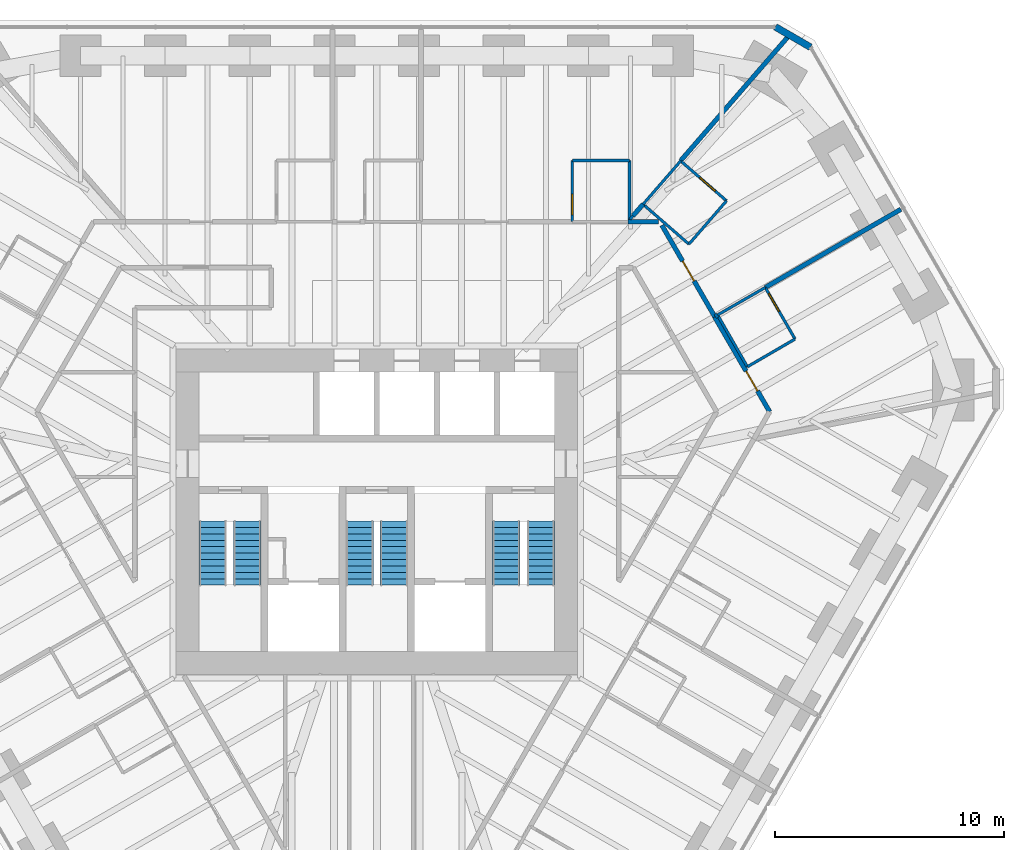
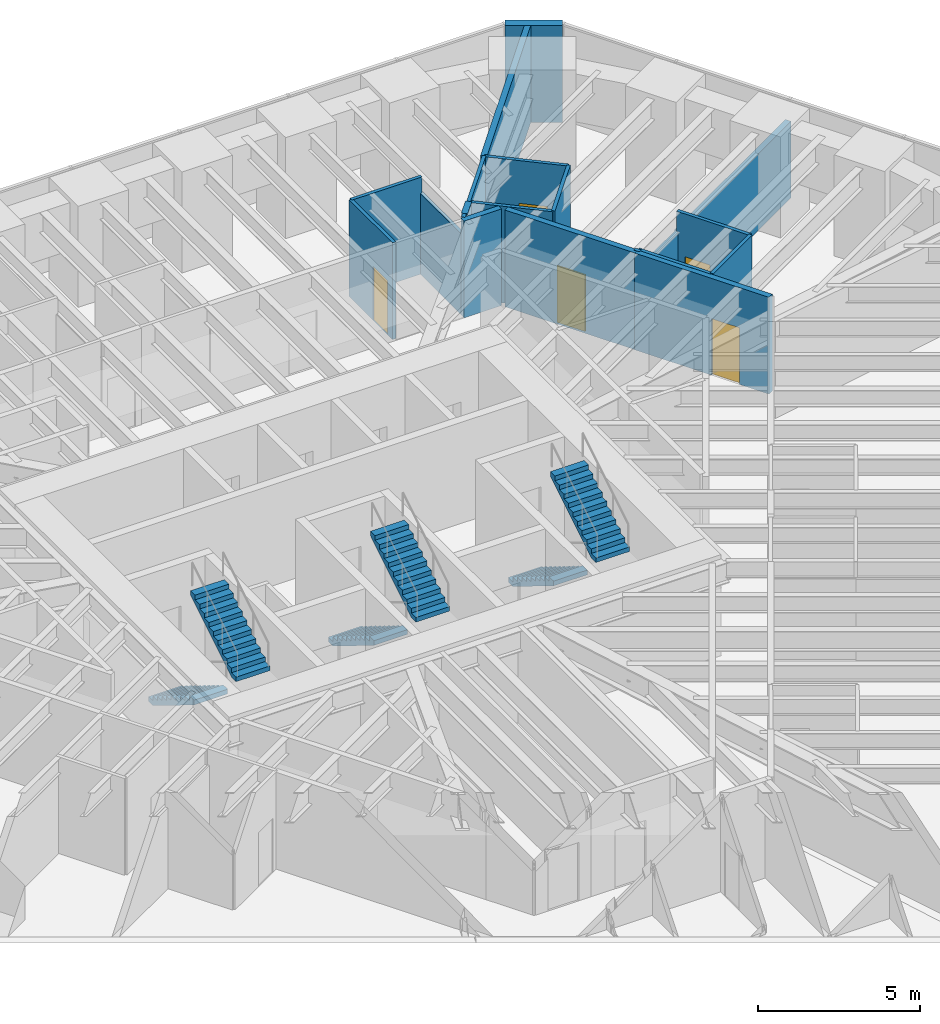
# One storey, part 15 of 16: 20 walls, 6 stair flights, 5 doors, 5 openings, 3 elements without a shape of their own.
"""IFC4 building model written with IfcOpenShell, lengths in metres."""

from ifc_helpers import new_model, si_unit, direction, frame, frame_2d, origin, place, context, subcontext, project, spatial, polyline, rectangle, outline, extrude, material, layer, layer_set, type_object, element, fill, aggregate, save


model = new_model("IFC4")

# Units and contexts
model_context = context("Model", 3, precision=1e-05, world=origin(), true_north=direction((0.0, 1.0)))
body_context = subcontext(model_context, "Body", "Model", "MODEL_VIEW")
ifc_project = project(units=[si_unit("LENGTHUNIT", "METRE"), si_unit("AREAUNIT", "SQUARE_METRE"), si_unit("VOLUMEUNIT", "CUBIC_METRE"), si_unit("PLANEANGLEUNIT", "RADIAN"), si_unit("MASSUNIT", "GRAM", prefix="KILO")], contexts=[model_context])

# Site, building, storey
site_placement = place(None, origin())
site = spatial("IfcSite", under=ifc_project, at=site_placement, CompositionType="ELEMENT")
building_placement = place(site_placement, origin())
building = spatial("IfcBuilding", under=site, at=building_placement, Name="Sandreach Pilgrim Tower", CompositionType="ELEMENT")
storey_placement = place(building_placement, frame((0.0, 0.0, 183.199951171875)))
storey = spatial("IfcBuildingStorey", under=building, at=storey_placement, Name="L45", CompositionType="ELEMENT", Elevation=183.199951171875)

# Wall, opening, door
ifc_material_1 = material(Name="Moisture-resistant gypsum board on steel studs", Category="steel")
ifc_layer_1 = layer(ifc_material_1, 0.1201171875)
ifc_layer_set_1 = layer_set([ifc_layer_1], Name="Bathroom partition 120")
wall_type_1 = type_object("IfcWallType", Name="Bathroom partition 120", PredefinedType="PARTITIONING", material=ifc_layer_set_1)
wall_1_placement = place(storey_placement, frame((8.530029296875, 15.330078125, 0.0), z_axis=(0.0, 0.0, 1.0), x_axis=(0.0, -1.0, 0.0)))
wall_1 = element("IfcWall", 1, at=wall_1_placement, inside=storey, type_object=wall_type_1, Name="Bathroom partition L45-102", PredefinedType="PARTITIONING", context=body_context, shape_type="SweptSolid", body=[
    extrude(rectangle(XDim=2.670166015625, YDim=0.1201171875, at=frame_2d((1.3349609375, 0.0))), origin(), (0.0, 0.0, 1.0), 3.64013671875),
])
opening_1_placement = place(wall_1_placement, frame((1.469970703125, 0.0, 0.0)))
opening_1 = element("IfcOpeningElement", 2, at=opening_1_placement, cuts=wall_1, Name="Opening D09-03B", PredefinedType="OPENING", context=body_context, shape_type="SweptSolid", body=[
    extrude(rectangle(XDim=0.89990234375, YDim=2.030029296875, at=frame_2d((0.449951171875, 1.01513671875))), frame((0.0, 0.06005859375, 0.0), z_axis=(0.0, -1.0, 0.0), x_axis=(1.0, 0.0, 0.0)), (0.0, 0.0, 1.0), 0.1201171875),
])
ifc_material_2 = material(Name="Timber door, steel frame", Category="steel")
door_type_1 = type_object("IfcDoorType", Name="Bathroom door", OperationType="SINGLE_SWING_LEFT", PredefinedType="DOOR", material=ifc_material_2)
door_1_placement = place(opening_1_placement, origin())
door_1 = element("IfcDoor", 3, at=door_1_placement, inside=storey, type_object=door_type_1, Name="Door 4503B", OperationType="SINGLE_SWING_RIGHT", OverallHeight=2.030029296875, OverallWidth=0.89990234375, PredefinedType="DOOR", context=body_context, shape_type="SweptSolid", body=[
    extrude(rectangle(XDim=0.89990234375, YDim=2.030029296875, at=frame_2d((0.449951171875, 1.01513671875))), frame((0.0, 0.02490234375, 0.0), z_axis=(0.0, -1.0, 0.0), x_axis=(1.0, 0.0, 0.0)), (0.0, 0.0, 1.0), 0.050048828125),
])
fill(opening_1, door_1)

# Walls
wall_2_placement = place(storey_placement, frame((11.030029296875, 12.739990234375, 0.0), z_axis=(0.0, 0.0, 1.0), x_axis=(0.0, 1.0, 0.0)))
element("IfcWall", 4, at=wall_2_placement, inside=storey, type_object=wall_type_1, Name="Bathroom partition L45-112", PredefinedType="PARTITIONING", context=body_context, shape_type="SweptSolid", body=[
    extrude(rectangle(XDim=2.590087890625, YDim=0.1201171875, at=frame_2d((1.294921875, 0.0))), origin(), (0.0, 0.0, 1.0), 3.0380859375),
])
wall_3_placement = place(storey_placement, frame((11.030029296875, 15.330078125, 0.0), z_axis=(0.0, 0.0, 1.0), x_axis=(-1.0, 0.0, 0.0)))
element("IfcWall", 5, at=wall_3_placement, inside=storey, type_object=wall_type_1, Name="Bathroom partition L45-113", PredefinedType="PARTITIONING", context=body_context, shape_type="SweptSolid", body=[
    extrude(rectangle(XDim=2.5, YDim=0.1201171875, at=frame_2d((1.25, 0.0))), origin(), (0.0, 0.0, 1.0), 3.64013671875),
])
wall_4_placement = place(storey_placement, frame((11.04931640625, 12.762939453125, 0.0), z_axis=(0.0, 0.0, 1.0), x_axis=(0.639596257895, 0.768711016499, 0.0)))
element("IfcWall", 6, at=wall_4_placement, inside=storey, type_object=wall_type_1, Name="Bathroom partition L45-114", PredefinedType="PARTITIONING", context=body_context, shape_type="SweptSolid", body=[
    extrude(rectangle(XDim=0.2041015625, YDim=0.1201171875, at=frame_2d((0.10205078125, 0.0))), origin(), (0.0, 0.0, 1.0), 3.64013671875),
])
wall_5_placement = place(storey_placement, frame((11.6201171875, 13.419921875, 0.0), z_axis=(0.0, 0.0, 1.0), x_axis=(0.655335308977, 0.755338091723, 0.0)))
element("IfcWall", 7, at=wall_5_placement, inside=storey, type_object=wall_type_1, Name="Bathroom partition L45-119", PredefinedType="PARTITIONING", context=body_context, shape_type="SweptSolid", body=[
    extrude(rectangle(XDim=2.50244140625, YDim=0.1201171875, at=frame_2d((1.251220703125, 0.0))), origin(), (0.0, 0.0, 1.0), 3.64013671875),
])
wall_6_placement = place(storey_placement, frame((11.6201171875, 13.419921875, 0.0), z_axis=(0.0, 0.0, 1.0), x_axis=(0.754444902764, -0.656363381591, 0.0)))
element("IfcWall", 8, at=wall_6_placement, inside=storey, type_object=wall_type_1, Name="Bathroom partition L45-120", PredefinedType="PARTITIONING", context=body_context, shape_type="SweptSolid", body=[
    extrude(rectangle(XDim=2.65087890625, YDim=0.1201171875, at=frame_2d((1.325439453125, 0.0))), origin(), (0.0, 0.0, 1.0), 3.64013671875),
])
wall_7_placement = place(storey_placement, frame((13.6201171875, 11.679931640625, 0.0), z_axis=(0.0, 0.0, 1.0), x_axis=(0.655335308977, 0.755338091723, 0.0)))
element("IfcWall", 9, at=wall_7_placement, inside=storey, type_object=wall_type_1, Name="Bathroom partition L45-130", PredefinedType="PARTITIONING", context=body_context, shape_type="SweptSolid", body=[
    extrude(rectangle(XDim=2.50244140625, YDim=0.1201171875, at=frame_2d((1.251220703125, 0.0))), origin(), (0.0, 0.0, 1.0), 3.64013671875),
])
wall_8_placement = place(storey_placement, frame((14.8701171875, 8.590087890625, 0.0), z_axis=(0.0, 0.0, 1.0), x_axis=(0.498557331759, -0.866856728041, 0.0)))
element("IfcWall", 10, at=wall_8_placement, inside=storey, type_object=wall_type_1, Name="Bathroom partition L45-137", PredefinedType="PARTITIONING", context=body_context, shape_type="SweptSolid", body=[
    extrude(rectangle(XDim=2.607177734375, YDim=0.1201171875, at=frame_2d((1.3037109375, 0.0))), origin(), (0.0, 0.0, 1.0), 3.64013671875),
])
wall_9_placement = place(storey_placement, frame((14.8701171875, 8.590087890625, 0.0), z_axis=(0.0, 0.0, 1.0), x_axis=(0.866177122335, 0.499737123639, 0.0)))
element("IfcWall", 11, at=wall_9_placement, inside=storey, type_object=wall_type_1, Name="Bathroom partition L45-138", PredefinedType="PARTITIONING", context=body_context, shape_type="SweptSolid", body=[
    extrude(rectangle(XDim=2.401123046875, YDim=0.1201171875, at=frame_2d((1.20068359375, 0.0))), origin(), (0.0, 0.0, 1.0), 2.8779296875),
])

# Wall, opening, door
wall_10_placement = place(storey_placement, frame((15.260009765625, 13.570068359375, 0.0), z_axis=(0.0, 0.0, 1.0), x_axis=(-0.754444902764, 0.656363381591, 0.0)))
wall_10 = element("IfcWall", 12, at=wall_10_placement, inside=storey, type_object=wall_type_1, Name="Bathroom partition L45-139", PredefinedType="PARTITIONING", context=body_context, shape_type="SweptSolid", body=[
    extrude(rectangle(XDim=2.65087890625, YDim=0.1201171875, at=frame_2d((1.325439453125, 0.0))), origin(), (0.0, 0.0, 1.0), 3.64013671875),
])
opening_2_placement = place(wall_10_placement, frame((0.64990234375, 0.0, 0.0)))
opening_2 = element("IfcOpeningElement", 13, at=opening_2_placement, cuts=wall_10, Name="Opening D09-04B", PredefinedType="OPENING", context=body_context, shape_type="SweptSolid", body=[
    extrude(rectangle(XDim=0.89990234375, YDim=2.030029296875, at=frame_2d((0.449951171875, 1.01513671875))), frame((0.0, 0.06005859375, 0.0), z_axis=(0.0, -1.0, 0.0), x_axis=(1.0, 0.0, 0.0)), (0.0, 0.0, 1.0), 0.1201171875),
])
door_2_placement = place(opening_2_placement, origin())
door_2 = element("IfcDoor", 14, at=door_2_placement, inside=storey, type_object=door_type_1, Name="Door 4504B", OperationType="SINGLE_SWING_LEFT", OverallHeight=2.030029296875, OverallWidth=0.89990234375, PredefinedType="DOOR", context=body_context, shape_type="SweptSolid", body=[
    extrude(rectangle(XDim=0.89990234375, YDim=2.030029296875, at=frame_2d((0.449951171875, 1.01513671875))), frame((0.0, 0.02490234375, 0.0), z_axis=(0.0, -1.0, 0.0), x_axis=(1.0, 0.0, 0.0)), (0.0, 0.0, 1.0), 0.050048828125),
])
fill(opening_2, door_2)

# Wall
wall_11_placement = place(storey_placement, frame((16.169921875, 6.330078125, 0.0), z_axis=(0.0, 0.0, 1.0), x_axis=(0.864396442809, 0.502810888564, 0.0)))
element("IfcWall", 15, at=wall_11_placement, inside=storey, type_object=wall_type_1, Name="Bathroom partition L45-141", PredefinedType="PARTITIONING", context=body_context, shape_type="SweptSolid", body=[
    extrude(rectangle(XDim=2.406494140625, YDim=0.1201171875, at=frame_2d((1.203125, 0.0))), origin(), (0.0, 0.0, 1.0), 3.64013671875),
])

# Wall, opening, door
wall_12_placement = place(storey_placement, frame((18.25, 7.5400390625, 0.0), z_axis=(0.0, 0.0, 1.0), x_axis=(-0.500291685314, 0.865856933682, 0.0)))
wall_12 = element("IfcWall", 16, at=wall_12_placement, inside=storey, type_object=wall_type_1, Name="Bathroom partition L45-146", PredefinedType="PARTITIONING", context=body_context, shape_type="SweptSolid", body=[
    extrude(rectangle(XDim=2.5986328125, YDim=0.1201171875, at=frame_2d((1.29931640625, 0.0))), origin(), (0.0, 0.0, 1.0), 3.64013671875),
])
opening_3_placement = place(wall_12_placement, frame((1.398681640625, 0.0, 0.0)))
opening_3 = element("IfcOpeningElement", 17, at=opening_3_placement, cuts=wall_12, Name="Opening D09-05B", PredefinedType="OPENING", context=body_context, shape_type="SweptSolid", body=[
    extrude(rectangle(XDim=0.89990234375, YDim=2.030029296875, at=frame_2d((0.449951171875, 1.01513671875))), frame((0.0, 0.06005859375, 0.0), z_axis=(0.0, -1.0, 0.0), x_axis=(1.0, 0.0, 0.0)), (0.0, 0.0, 1.0), 0.1201171875),
])
door_3_placement = place(opening_3_placement, origin())
door_3 = element("IfcDoor", 18, at=door_3_placement, inside=storey, type_object=door_type_1, Name="Door 4505B", OperationType="SINGLE_SWING_RIGHT", OverallHeight=2.030029296875, OverallWidth=0.89990234375, PredefinedType="DOOR", context=body_context, shape_type="SweptSolid", body=[
    extrude(rectangle(XDim=0.89990234375, YDim=2.030029296875, at=frame_2d((0.449951171875, 1.01513671875))), frame((0.0, 0.02490234375, 0.0), z_axis=(0.0, -1.0, 0.0), x_axis=(1.0, 0.0, 0.0)), (0.0, 0.0, 1.0), 0.050048828125),
])
fill(opening_3, door_3)

# Wall
ifc_material_3 = material(Name="Gypsum board on steel studs, two layers each side", Category="steel")
ifc_layer_2 = layer(ifc_material_3, 0.199951171875)
ifc_layer_set_2 = layer_set([ifc_layer_2], Name="Corridor wall 200")
wall_type_2 = type_object("IfcWallType", Name="Corridor wall 200", PredefinedType="PARTITIONING", material=ifc_layer_set_2)
wall_13_placement = place(storey_placement, frame((12.2900390625, 12.659912109375, 0.0), z_axis=(0.0, 0.0, 1.0), x_axis=(-1.0, 0.0, 0.0)))
element("IfcWall", 19, at=wall_13_placement, inside=storey, type_object=wall_type_2, Name="Corridor wall L45-125", PredefinedType="PARTITIONING", context=body_context, shape_type="SweptSolid", body=[
    extrude(rectangle(XDim=1.330078125, YDim=0.199951171875, at=frame_2d((0.6650390625, 0.0))), origin(), (0.0, 0.0, 1.0), 3.64013671875),
])

# Wall, opening, door
wall_14_placement = place(storey_placement, frame((12.440185546875, 12.504150390625, 0.0), z_axis=(0.0, 0.0, 1.0), x_axis=(0.500616963614, -0.865668906535, 0.0)))
wall_14 = element("IfcWall", 20, at=wall_14_placement, inside=storey, type_object=wall_type_2, Name="Corridor wall L45-126", PredefinedType="PARTITIONING", context=body_context, shape_type="SweptSolid", body=[
    extrude(rectangle(XDim=4.614013671875, YDim=0.199951171875, at=frame_2d((2.30712890625, 0.0))), origin(), (0.0, 0.0, 1.0), 3.64013671875),
])
opening_4_placement = place(wall_14_placement, frame((1.806884765625, 0.0, 0.0)))
opening_4 = element("IfcOpeningElement", 21, at=opening_4_placement, cuts=wall_14, Name="Opening D10-04", PredefinedType="OPENING", context=body_context, shape_type="SweptSolid", body=[
    extrude(rectangle(XDim=1.0, YDim=2.1298828125, at=frame_2d((0.5, 1.06494140625))), frame((0.0, 0.10009765625, 0.0), z_axis=(0.0, -1.0, 0.0), x_axis=(1.0, 0.0, 0.0)), (0.0, 0.0, 1.0), 0.199951171875),
])
ifc_material_4 = material(Name="Steel door and frame", Category="steel")
door_type_2 = type_object("IfcDoorType", Name="Guest room entry door", OperationType="SINGLE_SWING_LEFT", PredefinedType="DOOR", material=ifc_material_4)
door_4_placement = place(opening_4_placement, origin())
door_4 = element("IfcDoor", 22, at=door_4_placement, inside=storey, type_object=door_type_2, Name="Door 4504", OperationType="SINGLE_SWING_LEFT", OverallHeight=2.1298828125, OverallWidth=1.0, PredefinedType="DOOR", context=body_context, shape_type="SweptSolid", body=[
    extrude(rectangle(XDim=1.0, YDim=2.1298828125, at=frame_2d((0.5, 1.06494140625))), frame((0.0, 0.02490234375, 0.0), z_axis=(0.0, -1.0, 0.0), x_axis=(1.0, 0.0, 0.0)), (0.0, 0.0, 1.0), 0.050048828125),
])
fill(opening_4, door_4)

wall_15_placement = place(storey_placement, frame((17.139892578125, 4.3701171875, 0.0), z_axis=(0.0, 0.0, 1.0), x_axis=(-0.501524901322, 0.865143209737, 0.0)))
wall_15 = element("IfcWall", 23, at=wall_15_placement, inside=storey, type_object=wall_type_2, Name="Corridor wall L45-144", PredefinedType="PARTITIONING", context=body_context, shape_type="SweptSolid", body=[
    extrude(rectangle(XDim=4.78515625, YDim=0.199951171875, at=frame_2d((2.392578125, 0.0))), origin(), (0.0, 0.0, 1.0), 3.64013671875),
])
opening_5_placement = place(wall_15_placement, frame((1.050048828125, 0.0, 0.0)))
opening_5 = element("IfcOpeningElement", 24, at=opening_5_placement, cuts=wall_15, Name="Opening D10-05", PredefinedType="OPENING", context=body_context, shape_type="SweptSolid", body=[
    extrude(rectangle(XDim=1.0, YDim=2.1298828125, at=frame_2d((0.5, 1.06494140625))), frame((0.0, 0.10009765625, 0.0), z_axis=(0.0, -1.0, 0.0), x_axis=(1.0, 0.0, 0.0)), (0.0, 0.0, 1.0), 0.199951171875),
])
door_5_placement = place(opening_5_placement, origin())
door_5 = element("IfcDoor", 25, at=door_5_placement, inside=storey, type_object=door_type_2, Name="Door 4505", OperationType="SINGLE_SWING_LEFT", OverallHeight=2.1298828125, OverallWidth=1.0, PredefinedType="DOOR", context=body_context, shape_type="SweptSolid", body=[
    extrude(rectangle(XDim=1.0, YDim=2.1298828125, at=frame_2d((0.5, 1.06494140625))), frame((0.0, 0.02490234375, 0.0), z_axis=(0.0, -1.0, 0.0), x_axis=(1.0, 0.0, 0.0)), (0.0, 0.0, 1.0), 0.050048828125),
])
fill(opening_5, door_5)

# Walls
ifc_material_5 = material(Name="Double steel stud acoustic wall, gypsum board", Category="steel")
ifc_layer_3 = layer(ifc_material_5, 0.199951171875)
ifc_layer_set_3 = layer_set([ifc_layer_3], Name="Party wall 200")
wall_type_3 = type_object("IfcWallType", Name="Party wall 200", PredefinedType="PARTITIONING", material=ifc_layer_set_3)
wall_16_placement = place(storey_placement, frame((11.179931640625, 12.919921875, 0.0), z_axis=(0.0, 0.0, 1.0), x_axis=(0.660578310858, 0.750757147967, 0.0)))
element("IfcWall", 26, at=wall_16_placement, inside=storey, type_object=wall_type_3, Name="Party wall L45-115", PredefinedType="PARTITIONING", context=body_context, shape_type="SweptSolid", body=[
    extrude(rectangle(XDim=0.666015625, YDim=0.199951171875, at=frame_2d((0.3330078125, 0.0))), origin(), (0.0, 0.0, 1.0), 3.64013671875),
])
wall_17_placement = place(storey_placement, frame((14.7666015625, 8.52099609375, 0.0), z_axis=(0.0, 0.0, 1.0), x_axis=(0.831142316784, 0.55605975331, 0.0)))
element("IfcWall", 27, at=wall_17_placement, inside=storey, type_object=wall_type_3, Name="Party wall L45-135", PredefinedType="PARTITIONING", context=body_context, shape_type="SweptSolid", body=[
    extrude(rectangle(XDim=0.124267578125, YDim=0.199951171875, at=frame_2d((0.06201171875, 0.0))), origin(), (0.0, 0.0, 1.0), 3.64013671875),
])
wall_18_placement = place(storey_placement, frame((16.949951171875, 9.7900390625, 0.0), z_axis=(0.0, 0.0, 1.0), x_axis=(0.866371236465, 0.499400521251, 0.0)))
element("IfcWall", 28, at=wall_18_placement, inside=storey, type_object=wall_type_3, Name="Party wall L45-143", PredefinedType="PARTITIONING", context=body_context, shape_type="SweptSolid", body=[
    extrude(rectangle(XDim=6.82861328125, YDim=0.199951171875, at=frame_2d((3.414306640625, 0.0))), origin(), (0.0, 0.0, 1.0), 2.8779296875),
])
wall_19_placement = place(storey_placement, frame((18.020263671875, 20.8173828125, 0.0), z_axis=(0.0, 0.0, 1.0), x_axis=(-0.654701954033, -0.755887128733, 0.0)))
element("IfcWall", 29, at=wall_19_placement, inside=storey, type_object=wall_type_3, Name="Party wall L45-145", PredefinedType="PARTITIONING", context=body_context, shape_type="SweptSolid", body=[
    extrude(rectangle(XDim=7.279541015625, YDim=0.199951171875, at=frame_2d((3.6396484375, 0.0))), origin(), (0.0, 0.0, 1.0), 3.64013671875),
])
ifc_material_6 = material(Name="Terracotta rainscreen on concrete", Category="masonry")
ifc_layer_4 = layer(ifc_material_6, 0.300048828125)
ifc_layer_set_4 = layer_set([ifc_layer_4], Name="Terracotta chamfer pier")
wall_type_4 = type_object("IfcWallType", Name="Terracotta chamfer pier", PredefinedType="SOLIDWALL", material=ifc_layer_set_4)
wall_20_placement = place(storey_placement, frame((17.389892578125, 21.16015625, 0.0), z_axis=(0.0, 0.0, 1.0), x_axis=(0.866036293601, -0.499981137809, 0.0)))
element("IfcWall", 30, at=wall_20_placement, inside=storey, type_object=wall_type_4, Name="Chamfer pier L45 N", PredefinedType="SOLIDWALL", context=body_context, shape_type="SweptSolid", body=[
    extrude(rectangle(XDim=1.77001953125, YDim=0.300048828125, at=frame_2d((0.885009765625, 0.0))), origin(), (0.0, 0.0, 1.0), 3.64013671875),
])

# Stair, stair flights
ifc_material_7 = material(Name="Concrete 8000 psi", Category="concrete")
stair_type = type_object("IfcStairType", Name="Core exit stair", PredefinedType="HALF_TURN_STAIR", material=ifc_material_7)
stair_1_placement = place(storey_placement, origin())
stair_1 = element("IfcStair", 31, at=stair_1_placement, inside=storey, type_object=stair_type, Name="Exit stair ST1 L45", PredefinedType="HALF_TURN_STAIR")
ifc_material_8 = material(Name="Concrete 8000 psi", Category="concrete")
stair_flight_type = type_object("IfcStairFlightType", Name="Core stair flight 1200", PredefinedType="STRAIGHT", material=ifc_material_8)
stair_flight_1_placement = place(storey_placement, frame((-7.14990234375, -0.39990234375, 0.0), z_axis=(0.0, 0.0, 1.0), x_axis=(0.0, -1.0, 0.0)))
stair_flight_1 = element("IfcStairFlight", 32, at=stair_flight_1_placement, type_object=stair_flight_type, Name="ST1 flight 1", NumberOfRisers=11, NumberOfTreads=10, PredefinedType="STRAIGHT", RiserHeight=0.172727273, TreadLength=0.28, context=body_context, shape_type="SweptSolid", body=[
    extrude(outline(polyline([(0.0, 0.0), (0.0, 0.172607421875), (0.280029296875, 0.172607421875), (0.280029296875, 0.345458984375), (0.56005859375, 0.345458984375), (0.56005859375, 0.51806640625), (0.840087890625, 0.51806640625), (0.840087890625, 0.69091796875), (1.1201171875, 0.69091796875), (1.1201171875, 0.863525390625), (1.39990234375, 0.863525390625), (1.39990234375, 1.036376953125), (1.679931640625, 1.036376953125), (1.679931640625, 1.208984375), (1.9599609375, 1.208984375), (1.9599609375, 1.3818359375), (2.239990234375, 1.3818359375), (2.239990234375, 1.554443359375), (2.52001953125, 1.554443359375), (2.52001953125, 1.727294921875), (2.800048828125, 1.727294921875), (2.800048828125, 1.89990234375), (2.800048828125, 1.551025390625), (0.285400390625, 0.0), (0.0, 0.0)])), frame((0.0, 0.60009765625, 0.0), z_axis=(0.0, -1.0, 0.0), x_axis=(1.0, 0.0, 0.0)), (0.0, 0.0, 1.0), 1.199951171875),
])
stair_flight_2_placement = place(storey_placement, frame((-5.64990234375, -3.199951171875, 1.900146484375), z_axis=(0.0, 0.0, 1.0), x_axis=(0.0, 1.0, 0.0)))
stair_flight_2 = element("IfcStairFlight", 33, at=stair_flight_2_placement, type_object=stair_flight_type, Name="ST1 flight 2", NumberOfRisers=11, NumberOfTreads=10, PredefinedType="STRAIGHT", RiserHeight=0.172727273, TreadLength=0.28, context=body_context, shape_type="SweptSolid", body=[
    extrude(outline(polyline([(0.0, 0.0), (0.0, 0.172607421875), (0.280029296875, 0.172607421875), (0.280029296875, 0.345458984375), (0.56005859375, 0.345458984375), (0.56005859375, 0.51806640625), (0.840087890625, 0.51806640625), (0.840087890625, 0.69091796875), (1.1201171875, 0.69091796875), (1.1201171875, 0.863525390625), (1.39990234375, 0.863525390625), (1.39990234375, 1.036376953125), (1.679931640625, 1.036376953125), (1.679931640625, 1.208984375), (1.9599609375, 1.208984375), (1.9599609375, 1.3818359375), (2.239990234375, 1.3818359375), (2.239990234375, 1.554443359375), (2.52001953125, 1.554443359375), (2.52001953125, 1.727294921875), (2.800048828125, 1.727294921875), (2.800048828125, 1.89990234375), (2.800048828125, 1.551025390625), (0.285400390625, 0.0), (0.0, 0.0)])), frame((0.0, 0.60009765625, 0.0), z_axis=(0.0, -1.0, 0.0), x_axis=(1.0, 0.0, 0.0)), (0.0, 0.0, 1.0), 1.199951171875),
])
aggregate(stair_1, [stair_flight_1, stair_flight_2])

stair_2_placement = place(storey_placement, origin())
stair_2 = element("IfcStair", 34, at=stair_2_placement, inside=storey, type_object=stair_type, Name="Exit stair ST3 L45", PredefinedType="HALF_TURN_STAIR")
stair_flight_3_placement = place(storey_placement, frame((-0.75, -0.39990234375, 0.0), z_axis=(0.0, 0.0, 1.0), x_axis=(0.0, -1.0, 0.0)))
stair_flight_3 = element("IfcStairFlight", 35, at=stair_flight_3_placement, type_object=stair_flight_type, Name="ST3 flight 1", NumberOfRisers=11, NumberOfTreads=10, PredefinedType="STRAIGHT", RiserHeight=0.172727273, TreadLength=0.28, context=body_context, shape_type="SweptSolid", body=[
    extrude(outline(polyline([(0.0, 0.0), (0.0, 0.172607421875), (0.280029296875, 0.172607421875), (0.280029296875, 0.345458984375), (0.56005859375, 0.345458984375), (0.56005859375, 0.51806640625), (0.840087890625, 0.51806640625), (0.840087890625, 0.69091796875), (1.1201171875, 0.69091796875), (1.1201171875, 0.863525390625), (1.39990234375, 0.863525390625), (1.39990234375, 1.036376953125), (1.679931640625, 1.036376953125), (1.679931640625, 1.208984375), (1.9599609375, 1.208984375), (1.9599609375, 1.3818359375), (2.239990234375, 1.3818359375), (2.239990234375, 1.554443359375), (2.52001953125, 1.554443359375), (2.52001953125, 1.727294921875), (2.800048828125, 1.727294921875), (2.800048828125, 1.89990234375), (2.800048828125, 1.551025390625), (0.285400390625, 0.0), (0.0, 0.0)])), frame((0.0, 0.60009765625, 0.0), z_axis=(0.0, -1.0, 0.0), x_axis=(1.0, 0.0, 0.0)), (0.0, 0.0, 1.0), 1.199951171875),
])
stair_flight_4_placement = place(storey_placement, frame((0.75, -3.199951171875, 1.900146484375), z_axis=(0.0, 0.0, 1.0), x_axis=(0.0, 1.0, 0.0)))
stair_flight_4 = element("IfcStairFlight", 36, at=stair_flight_4_placement, type_object=stair_flight_type, Name="ST3 flight 2", NumberOfRisers=11, NumberOfTreads=10, PredefinedType="STRAIGHT", RiserHeight=0.172727273, TreadLength=0.28, context=body_context, shape_type="SweptSolid", body=[
    extrude(outline(polyline([(0.0, 0.0), (0.0, 0.172607421875), (0.280029296875, 0.172607421875), (0.280029296875, 0.345458984375), (0.56005859375, 0.345458984375), (0.56005859375, 0.51806640625), (0.840087890625, 0.51806640625), (0.840087890625, 0.69091796875), (1.1201171875, 0.69091796875), (1.1201171875, 0.863525390625), (1.39990234375, 0.863525390625), (1.39990234375, 1.036376953125), (1.679931640625, 1.036376953125), (1.679931640625, 1.208984375), (1.9599609375, 1.208984375), (1.9599609375, 1.3818359375), (2.239990234375, 1.3818359375), (2.239990234375, 1.554443359375), (2.52001953125, 1.554443359375), (2.52001953125, 1.727294921875), (2.800048828125, 1.727294921875), (2.800048828125, 1.89990234375), (2.800048828125, 1.551025390625), (0.285400390625, 0.0), (0.0, 0.0)])), frame((0.0, 0.60009765625, 0.0), z_axis=(0.0, -1.0, 0.0), x_axis=(1.0, 0.0, 0.0)), (0.0, 0.0, 1.0), 1.199951171875),
])
aggregate(stair_2, [stair_flight_3, stair_flight_4])

stair_3_placement = place(storey_placement, origin())
stair_3 = element("IfcStair", 37, at=stair_3_placement, inside=storey, type_object=stair_type, Name="Exit stair ST2 L45", PredefinedType="HALF_TURN_STAIR")
stair_flight_5_placement = place(storey_placement, frame((5.64990234375, -0.39990234375, 0.0), z_axis=(0.0, 0.0, 1.0), x_axis=(0.0, -1.0, 0.0)))
stair_flight_5 = element("IfcStairFlight", 38, at=stair_flight_5_placement, type_object=stair_flight_type, Name="ST2 flight 1", NumberOfRisers=11, NumberOfTreads=10, PredefinedType="STRAIGHT", RiserHeight=0.172727273, TreadLength=0.28, context=body_context, shape_type="SweptSolid", body=[
    extrude(outline(polyline([(0.0, 0.0), (0.0, 0.172607421875), (0.280029296875, 0.172607421875), (0.280029296875, 0.345458984375), (0.56005859375, 0.345458984375), (0.56005859375, 0.51806640625), (0.840087890625, 0.51806640625), (0.840087890625, 0.69091796875), (1.1201171875, 0.69091796875), (1.1201171875, 0.863525390625), (1.39990234375, 0.863525390625), (1.39990234375, 1.036376953125), (1.679931640625, 1.036376953125), (1.679931640625, 1.208984375), (1.9599609375, 1.208984375), (1.9599609375, 1.3818359375), (2.239990234375, 1.3818359375), (2.239990234375, 1.554443359375), (2.52001953125, 1.554443359375), (2.52001953125, 1.727294921875), (2.800048828125, 1.727294921875), (2.800048828125, 1.89990234375), (2.800048828125, 1.551025390625), (0.285400390625, 0.0), (0.0, 0.0)])), frame((0.0, 0.60009765625, 0.0), z_axis=(0.0, -1.0, 0.0), x_axis=(1.0, 0.0, 0.0)), (0.0, 0.0, 1.0), 1.199951171875),
])
stair_flight_6_placement = place(storey_placement, frame((7.14990234375, -3.199951171875, 1.900146484375), z_axis=(0.0, 0.0, 1.0), x_axis=(0.0, 1.0, 0.0)))
stair_flight_6 = element("IfcStairFlight", 39, at=stair_flight_6_placement, type_object=stair_flight_type, Name="ST2 flight 2", NumberOfRisers=11, NumberOfTreads=10, PredefinedType="STRAIGHT", RiserHeight=0.172727273, TreadLength=0.28, context=body_context, shape_type="SweptSolid", body=[
    extrude(outline(polyline([(0.0, 0.0), (0.0, 0.172607421875), (0.280029296875, 0.172607421875), (0.280029296875, 0.345458984375), (0.56005859375, 0.345458984375), (0.56005859375, 0.51806640625), (0.840087890625, 0.51806640625), (0.840087890625, 0.69091796875), (1.1201171875, 0.69091796875), (1.1201171875, 0.863525390625), (1.39990234375, 0.863525390625), (1.39990234375, 1.036376953125), (1.679931640625, 1.036376953125), (1.679931640625, 1.208984375), (1.9599609375, 1.208984375), (1.9599609375, 1.3818359375), (2.239990234375, 1.3818359375), (2.239990234375, 1.554443359375), (2.52001953125, 1.554443359375), (2.52001953125, 1.727294921875), (2.800048828125, 1.727294921875), (2.800048828125, 1.89990234375), (2.800048828125, 1.551025390625), (0.285400390625, 0.0), (0.0, 0.0)])), frame((0.0, 0.60009765625, 0.0), z_axis=(0.0, -1.0, 0.0), x_axis=(1.0, 0.0, 0.0)), (0.0, 0.0, 1.0), 1.199951171875),
])
aggregate(stair_3, [stair_flight_5, stair_flight_6])

save(model, "model.ifc")
